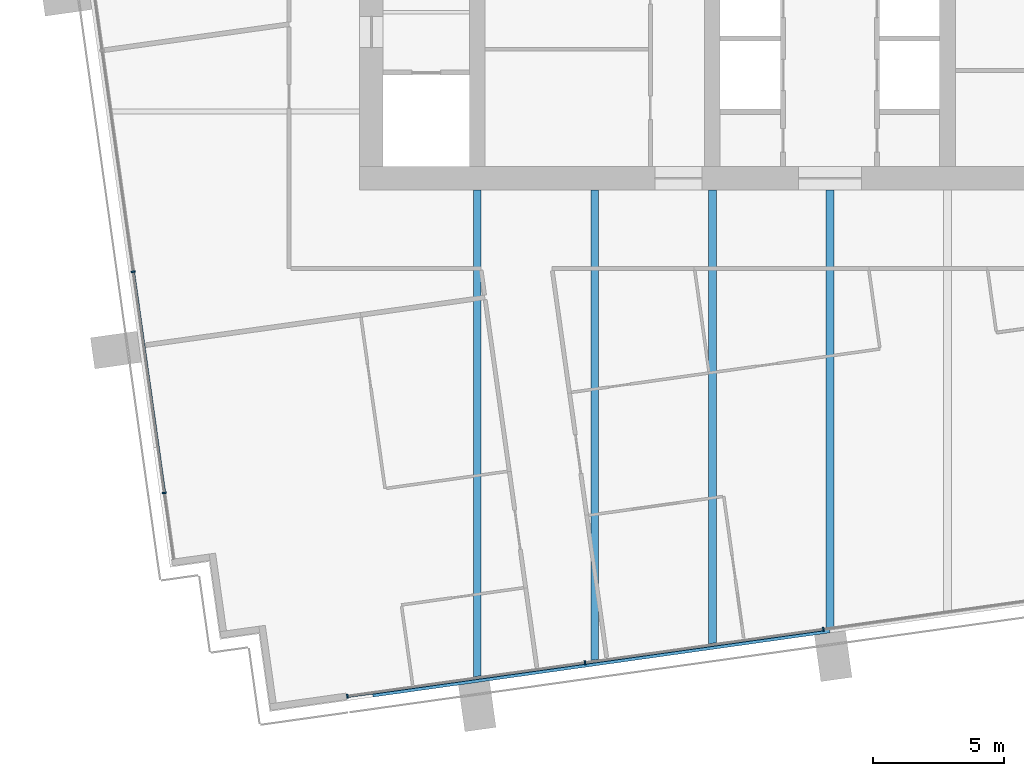
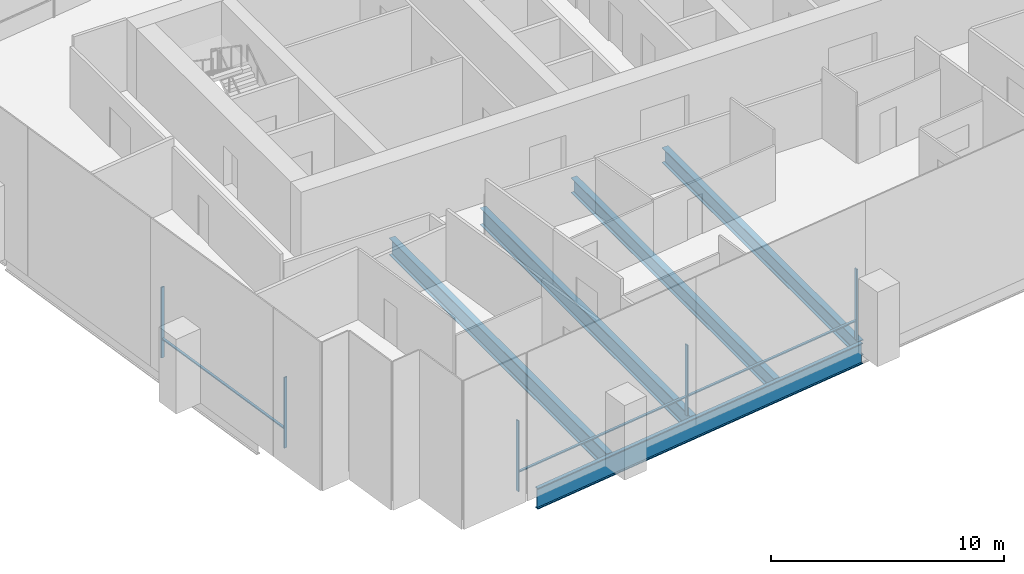
# One storey, part 2 of 17: 8 members, 5 beams, 2 elements without a shape of their own.
"""IFC4 building model written with IfcOpenShell, lengths in metres."""

from ifc_helpers import new_model, si_unit, direction, frame, origin, origin_2d, place, context, subcontext, project, spatial, rectangle, i_section, extrude, material, material_profile, profile_set, type_object, element, aggregate, save


model = new_model("IFC4")

# Units and contexts
model_context = context("Model", 3, precision=1e-05, world=origin(), true_north=direction((0.0, 1.0)))
body_context = subcontext(model_context, "Body", "Model", "MODEL_VIEW")
ifc_project = project(units=[si_unit("LENGTHUNIT", "METRE"), si_unit("AREAUNIT", "SQUARE_METRE"), si_unit("VOLUMEUNIT", "CUBIC_METRE"), si_unit("PLANEANGLEUNIT", "RADIAN"), si_unit("MASSUNIT", "GRAM", prefix="KILO")], contexts=[model_context])

# Site, building, storey
site_placement = place(None, origin())
site = spatial("IfcSite", under=ifc_project, at=site_placement, CompositionType="ELEMENT")
building_placement = place(site_placement, origin())
building = spatial("IfcBuilding", under=site, at=building_placement, Name="Rattan Terrace Tower", CompositionType="ELEMENT")
storey_placement = place(building_placement, frame((0.0, 0.0, 180.199951171875)))
storey = spatial("IfcBuildingStorey", under=building, at=storey_placement, Name="L41", CompositionType="ELEMENT", Elevation=180.199951171875)

# Curtain wall, members
ifc_material_1 = material(Name="Aluminium and glass", Category="aluminium")
curtain_wall_type = type_object("IfcCurtainWallType", Name="Facade Unitised Curtain Wall", PredefinedType="NOTDEFINED", material=ifc_material_1)
curtain_wall_1_placement = place(storey_placement, origin())
curtain_wall_1 = element("IfcCurtainWall", 1, at=curtain_wall_1_placement, inside=storey, type_object=curtain_wall_type, Name="Curtain wall L41-3", PredefinedType="NOTDEFINED")
ifc_material_2 = material(Name="Aluminium", Category="aluminium")
ifc_material_profile_1 = material_profile(ifc_material_2, rectangle(XDim=0.06005859375, YDim=0.159912109375, at=origin_2d()), Name="Aluminium 60x160")
ifc_profile_set_1 = profile_set([ifc_material_profile_1], Name="Aluminium")
member_type_1 = type_object("IfcMemberType", Name="Facade CW Mullion 60x160", PredefinedType="MULLION", material=ifc_profile_set_1)
member_1_placement = place(storey_placement, frame((-26.66748046875, -10.6259765625, 0.0), z_axis=(0.0, 0.0, 1.0), x_axis=(0.139190856006, -0.99026557327, 0.0)))
member_1 = element("IfcMember", 2, at=member_1_placement, type_object=member_type_1, Name="Mullion cwl-L41-003.3", PredefinedType="MULLION", context=body_context, shape_type="SweptSolid", body=[
    extrude(rectangle(XDim=0.06005859375, YDim=0.159912109375, at=origin_2d()), origin(), (0.0, 0.0, 1.0), 3.699951171875),
])
member_2_placement = place(storey_placement, frame((-25.477294921875, -19.092529296875, 0.0), z_axis=(0.0, 0.0, 1.0), x_axis=(0.139190856006, -0.99026557327, 0.0)))
member_2 = element("IfcMember", 3, at=member_2_placement, type_object=member_type_1, Name="Mullion cwl-L41-003.4", PredefinedType="MULLION", context=body_context, shape_type="SweptSolid", body=[
    extrude(rectangle(XDim=0.06005859375, YDim=0.159912109375, at=origin_2d()), origin(), (0.0, 0.0, 1.0), 3.699951171875),
])

curtain_wall_2_placement = place(storey_placement, origin())
curtain_wall_2 = element("IfcCurtainWall", 4, at=curtain_wall_2_placement, inside=storey, type_object=curtain_wall_type, Name="Curtain wall L41-4", PredefinedType="NOTDEFINED")
member_3_placement = place(storey_placement, frame((-18.467041015625, -26.87255859375, 0.0), z_axis=(0.0, 0.0, 1.0), x_axis=(0.990269702686, 0.139161474347, 0.0)))
member_3 = element("IfcMember", 5, at=member_3_placement, type_object=member_type_1, Name="Mullion cwl-L41-004.1", PredefinedType="MULLION", context=body_context, shape_type="SweptSolid", body=[
    extrude(rectangle(XDim=0.06005859375, YDim=0.159912109375, at=origin_2d()), origin(), (0.0, 0.0, 1.0), 3.699951171875),
])
member_4_placement = place(storey_placement, frame((-9.373291015625, -25.594482421875, 0.0), z_axis=(0.0, 0.0, 1.0), x_axis=(0.990269702686, 0.139161474347, 0.0)))
member_4 = element("IfcMember", 6, at=member_4_placement, type_object=member_type_1, Name="Mullion cwl-L41-004.2", PredefinedType="MULLION", context=body_context, shape_type="SweptSolid", body=[
    extrude(rectangle(XDim=0.06005859375, YDim=0.159912109375, at=origin_2d()), origin(), (0.0, 0.0, 1.0), 3.699951171875),
])
member_5_placement = place(storey_placement, frame((-0.25, -24.3125, 0.0), z_axis=(0.0, 0.0, 1.0), x_axis=(0.990269702686, 0.139161474347, 0.0)))
member_5 = element("IfcMember", 7, at=member_5_placement, type_object=member_type_1, Name="Mullion cwl-L41-004.3", PredefinedType="MULLION", context=body_context, shape_type="SweptSolid", body=[
    extrude(rectangle(XDim=0.06005859375, YDim=0.159912109375, at=origin_2d()), origin(), (0.0, 0.0, 1.0), 3.699951171875),
])

# Member
ifc_material_3 = material(Name="Aluminium", Category="aluminium")
ifc_material_profile_2 = material_profile(ifc_material_3, rectangle(XDim=0.1201171875, YDim=0.06005859375, at=origin_2d()), Name="Aluminium 120x60")
ifc_profile_set_2 = profile_set([ifc_material_profile_2], Name="Aluminium")
member_type_2 = type_object("IfcMemberType", Name="Facade CW Transom 120x60", PredefinedType="USERDEFINED", material=ifc_profile_set_2)
member_6_placement = place(storey_placement, frame((-26.663330078125, -10.655517578125, 1.0), z_axis=(0.139178607515, -0.99026729483, 0.0), x_axis=(0.99026729483, 0.139178607515, 0.0)))
member_6 = element("IfcMember", 8, at=member_6_placement, type_object=member_type_2, Name="Transom cwl-L41-003.3", ObjectType="TRANSOM", PredefinedType="USERDEFINED", context=body_context, shape_type="SweptSolid", body=[
    extrude(rectangle(XDim=0.1201171875, YDim=0.06005859375, at=origin_2d()), origin(), (0.0, 0.0, 1.0), 8.489990234375),
])

aggregate(curtain_wall_1, [member_1, member_2, member_6])

member_7_placement = place(storey_placement, frame((-18.437255859375, -26.868408203125, 1.0), z_axis=(0.990266494002, 0.139184305354, 0.0), x_axis=(-0.139184305354, 0.990266494002, 0.0)))
member_7 = element("IfcMember", 9, at=member_7_placement, type_object=member_type_2, Name="Transom cwl-L41-004.1", ObjectType="TRANSOM", PredefinedType="USERDEFINED", context=body_context, shape_type="SweptSolid", body=[
    extrude(rectangle(XDim=0.1201171875, YDim=0.06005859375, at=origin_2d()), origin(), (0.0, 0.0, 1.0), 9.123046875),
])

member_8_placement = place(storey_placement, frame((-9.343505859375, -25.59033203125, 1.0), z_axis=(0.990270711765, 0.139154293575, 0.0), x_axis=(-0.139154293575, 0.990270711765, 0.0)))
member_8 = element("IfcMember", 10, at=member_8_placement, type_object=member_type_2, Name="Transom cwl-L41-004.2", ObjectType="TRANSOM", PredefinedType="USERDEFINED", context=body_context, shape_type="SweptSolid", body=[
    extrude(rectangle(XDim=0.1201171875, YDim=0.06005859375, at=origin_2d()), origin(), (0.0, 0.0, 1.0), 9.153076171875),
])

aggregate(curtain_wall_2, [member_3, member_4, member_5, member_7, member_8])

# Beams
ifc_material_4 = material(Name="Steel S460", Category="steel")
ifc_material_profile_3 = material_profile(ifc_material_4, i_section(OverallWidth=0.179931640625, OverallDepth=1.10009765625, WebThickness=0.01611328125, FlangeThickness=0.050048828125, at=origin_2d()), Name="PG 1100x180-16-50")
ifc_profile_set_3 = profile_set([ifc_material_profile_3], Name="Steel S460")
beam_type_1 = type_object("IfcBeamType", Name="Frame edge girder PG 1100x180-16-50", PredefinedType="SPANDREL", material=ifc_profile_set_3)
beam_1_placement = place(storey_placement, frame((-17.4990234375, -26.818115234375, -0.75), z_axis=(0.990264173921, 0.139200811234, 0.0), x_axis=(-0.139200811234, 0.990264173921, 0.0)))
element("IfcBeam", 11, at=beam_1_placement, inside=storey, type_object=beam_type_1, Name="gdr-L41-001", PredefinedType="SPANDREL", context=body_context, shape_type="SweptSolid", body=[
    extrude(i_section(OverallWidth=0.179931640625, OverallDepth=1.10009765625, WebThickness=0.01611328125, FlangeThickness=0.050048828125, at=origin_2d()), origin(), (0.0, 0.0, 1.0), 17.657958984375),
])
ifc_material_5 = material(Name="Steel S355", Category="steel")
ifc_material_profile_4 = material_profile(ifc_material_5, i_section(OverallWidth=0.300048828125, OverallDepth=0.800048828125, WebThickness=0.017578125, FlangeThickness=0.032958984375, FilletRadius=0.030029296875, at=origin_2d()), Name="HE 800 B")
ifc_profile_set_4 = profile_set([ifc_material_profile_4], Name="Steel S355")
beam_type_2 = type_object("IfcBeamType", Name="Frame floor beam HE 800 B", PredefinedType="JOIST", material=ifc_profile_set_4)
beam_2_placement = place(storey_placement, frame((-4.5, -24.87890625, -0.599853515625), z_axis=(0.0, 1.0, 0.0), x_axis=(-1.0, 0.0, 0.0)))
element("IfcBeam", 12, at=beam_2_placement, inside=storey, type_object=beam_type_2, Name="bm-L41-005", PredefinedType="JOIST", context=body_context, shape_type="SweptSolid", body=[
    extrude(i_section(OverallWidth=0.300048828125, OverallDepth=0.800048828125, WebThickness=0.017578125, FlangeThickness=0.032958984375, FilletRadius=0.030029296875, at=origin_2d()), origin(), (0.0, 0.0, 1.0), 17.37890625),
])
beam_3_placement = place(storey_placement, frame((0.0, -24.24609375, -0.599853515625), z_axis=(0.0, 1.0, 0.0), x_axis=(-1.0, 0.0, 0.0)))
element("IfcBeam", 13, at=beam_3_placement, inside=storey, type_object=beam_type_2, Name="bm-L41-006", PredefinedType="JOIST", context=body_context, shape_type="SweptSolid", body=[
    extrude(i_section(OverallWidth=0.300048828125, OverallDepth=0.800048828125, WebThickness=0.017578125, FlangeThickness=0.032958984375, FilletRadius=0.030029296875, at=origin_2d()), origin(), (0.0, 0.0, 1.0), 16.74609375),
])
ifc_material_6 = material(Name="Steel S355", Category="steel")
ifc_material_profile_5 = material_profile(ifc_material_6, i_section(OverallWidth=0.300048828125, OverallDepth=0.89990234375, WebThickness=0.0185546875, FlangeThickness=0.034912109375, FilletRadius=0.030029296875, at=origin_2d()), Name="HE 900 B")
ifc_profile_set_5 = profile_set([ifc_material_profile_5], Name="Steel S355")
beam_type_3 = type_object("IfcBeamType", Name="Frame floor beam HE 900 B", PredefinedType="JOIST", material=ifc_profile_set_5)
beam_4_placement = place(storey_placement, frame((-13.5, -26.14404296875, -0.64990234375), z_axis=(0.0, 1.0, 0.0), x_axis=(-1.0, 0.0, 0.0)))
element("IfcBeam", 14, at=beam_4_placement, inside=storey, type_object=beam_type_3, Name="bm-L41-003", PredefinedType="JOIST", context=body_context, shape_type="SweptSolid", body=[
    extrude(i_section(OverallWidth=0.300048828125, OverallDepth=0.89990234375, WebThickness=0.0185546875, FlangeThickness=0.034912109375, FilletRadius=0.030029296875, at=origin_2d()), origin(), (0.0, 0.0, 1.0), 18.64404296875),
])
beam_5_placement = place(storey_placement, frame((-9.0, -25.510986328125, -0.64990234375), z_axis=(0.0, 1.0, 0.0), x_axis=(-1.0, 0.0, 0.0)))
element("IfcBeam", 15, at=beam_5_placement, inside=storey, type_object=beam_type_3, Name="bm-L41-004", PredefinedType="JOIST", context=body_context, shape_type="SweptSolid", body=[
    extrude(i_section(OverallWidth=0.300048828125, OverallDepth=0.89990234375, WebThickness=0.0185546875, FlangeThickness=0.034912109375, FilletRadius=0.030029296875, at=origin_2d()), origin(), (0.0, 0.0, 1.0), 18.010986328125),
])

save(model, "model.ifc")
